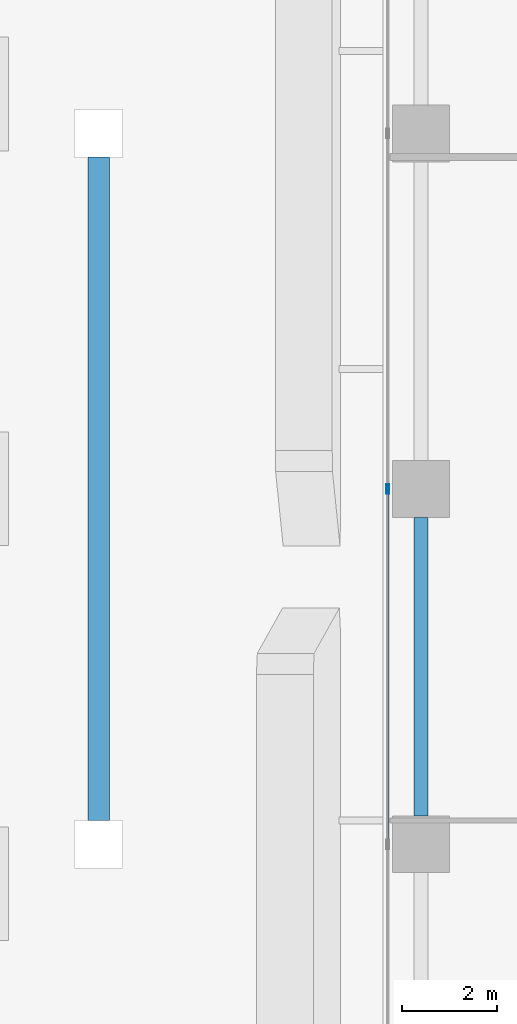
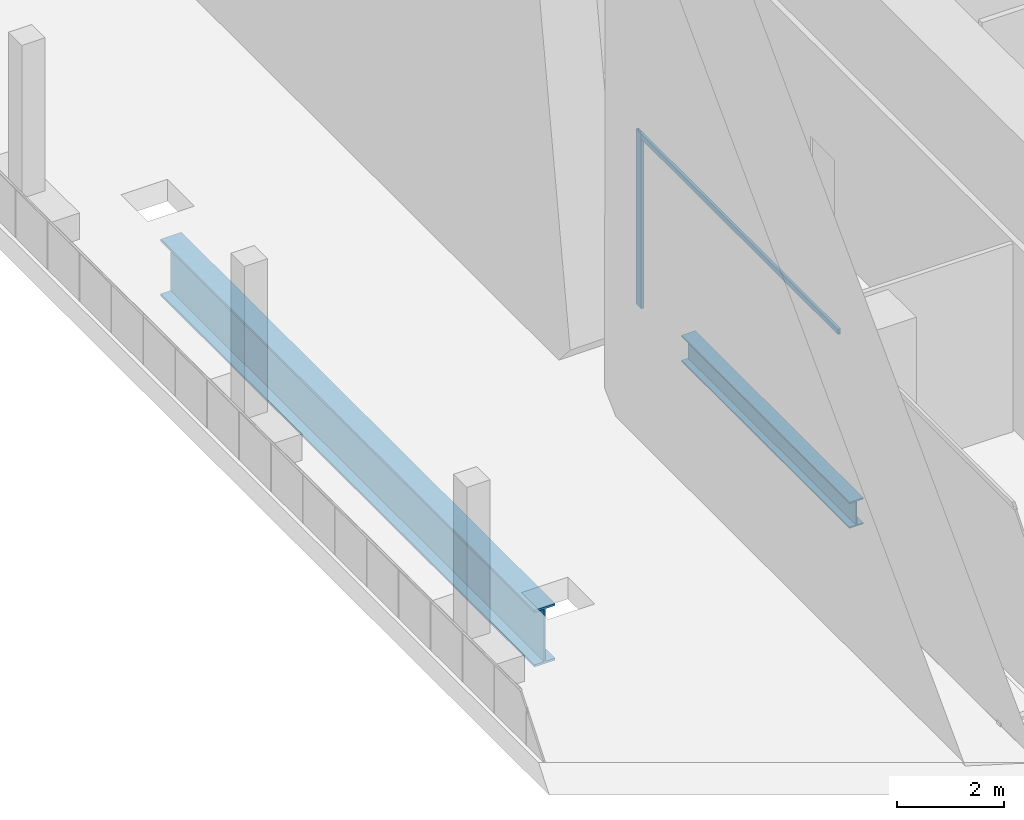
# One storey, part 5 of 46: 2 beams, 2 members, 1 element without a shape of its own.
"""IFC4 building model written with IfcOpenShell, lengths in metres."""

import ifcopenshell
import ifcopenshell.guid

model = None  # the IFC model being written
_history = None  # IfcOwnerHistory: only IFC2X3 demands one
_inside = {}  # id of a spatial element -> (the spatial element, [elements in it])
_under = {}  # id of a project, library or spatial element -> (it, [spatial elements below it])
_declared = {}  # id of a project -> (the project, [libraries it declares])
_typed = {}  # id of a type object -> (the type object, [elements of that type])
_made_of = {}  # id of a material, layer set ... -> (it, [elements and type objects made of it])


def new_model(schema):
    """Start an empty IFC model of exactly this schema.

    Asked for "IFC4X3", IfcOpenShell would pick the latest addendum, in which some entities
    have other attributes; the version numbers below select the first issue.
    IFC2X3 requires an IfcOwnerHistory on every rooted entity: one is made here for all.
    """
    global model, _history
    if schema == "IFC4X3":
        model = ifcopenshell.file(schema_version=(4, 3, 0, 0))
    else:
        model = ifcopenshell.file(schema=schema)
    _inside.clear()
    _under.clear()
    _declared.clear()
    _typed.clear()
    _made_of.clear()
    _history = None
    if model.schema == "IFC2X3":
        org = make("IfcOrganization", Name="unknown")
        user = make(
            "IfcPersonAndOrganization",
            ThePerson=make("IfcPerson", FamilyName="unknown"),
            TheOrganization=org,
        )
        app = make(
            "IfcApplication",
            ApplicationDeveloper=org,
            Version="unknown",
            ApplicationFullName="unknown",
            ApplicationIdentifier="unknown",
        )
        _history = make(
            "IfcOwnerHistory",
            OwningUser=user,
            OwningApplication=app,
            ChangeAction="ADDED",
            CreationDate=0,
        )
    return model


def make(cls, **values):
    """One entity of the class cls with the attributes given. An attribute that is None is left unset."""
    return model.create_entity(
        cls, **{name: value for name, value in values.items() if value is not None}
    )


def rooted(cls, **values):
    """An entity with a GlobalId (a new one), such as an element, a storey or a relation."""
    return make(cls, GlobalId=ifcopenshell.guid.new(), OwnerHistory=_history, **values)


def si_unit(unit_type, name, prefix=None):
    """IfcSIUnit, for example si_unit("LENGTHUNIT", "METRE", prefix="MILLI")."""
    return make("IfcSIUnit", UnitType=unit_type, Prefix=prefix, Name=name)


def assignment(units):
    """IfcUnitAssignment: the units of a project."""
    return None if units is None else make("IfcUnitAssignment", Units=units)


def point(xyz):
    """IfcCartesianPoint."""
    return None if xyz is None else make("IfcCartesianPoint", Coordinates=xyz)


def direction(xyz):
    """IfcDirection."""
    return None if xyz is None else make("IfcDirection", DirectionRatios=xyz)


def frame(location, z_axis=None, x_axis=None):
    """IfcAxis2Placement3D, a coordinate frame: its origin and axes. An axis left out is left unset."""
    return make(
        "IfcAxis2Placement3D",
        Location=point(location),
        Axis=direction(z_axis),
        RefDirection=direction(x_axis),
    )


def frame_2d(location, x_axis=None):
    """IfcAxis2Placement2D, a coordinate frame in the plane: its origin and x axis."""
    return make(
        "IfcAxis2Placement2D", Location=point(location), RefDirection=direction(x_axis)
    )


def origin():
    """The frame at (0, 0, 0) with its axes left unset."""
    return frame((0.0, 0.0, 0.0))


def origin_2d():
    """The frame at (0, 0) in the plane with its x axis left unset."""
    return frame_2d((0.0, 0.0))


def place(relative_to, where):
    """IfcLocalPlacement: puts the frame where relative to a parent placement (None: the world)."""
    return make(
        "IfcLocalPlacement", PlacementRelTo=relative_to, RelativePlacement=where
    )


def context(
    kind, dimensions, precision=None, world=None, true_north=None, identifier=None
):
    """IfcGeometricRepresentationContext, for example the 3D "Model" context."""
    return make(
        "IfcGeometricRepresentationContext",
        ContextIdentifier=identifier,
        ContextType=kind,
        CoordinateSpaceDimension=dimensions,
        Precision=precision,
        WorldCoordinateSystem=world,
        TrueNorth=true_north,
    )


def subcontext(parent, identifier, kind, view, scale=None):
    """IfcGeometricRepresentationSubContext, for example "Body" below "Model"."""
    return make(
        "IfcGeometricRepresentationSubContext",
        ContextIdentifier=identifier,
        ContextType=kind,
        ParentContext=parent,
        TargetScale=scale,
        TargetView=view,
    )


def project(units=None, contexts=None):
    """IfcProject with its units and contexts."""
    return rooted(
        "IfcProject",
        Name="project",
        RepresentationContexts=contexts,
        UnitsInContext=assignment(units),
    )


def spatial(cls, under=None, at=None, **own):
    """A site, building, storey or space (cls), placed at a placement, below another one or the project."""
    s = rooted(cls, ObjectPlacement=at, **own)
    if under is not None:
        _under.setdefault(under.id(), (under, []))[1].append(s)
    return s


def profile(cls, at=None, kind="AREA", **sizes):
    """A parametric profile (cls). Its sizes go by their IFC names, for example OverallWidth=200.0."""
    return make(cls, ProfileType=kind, Position=at, **sizes)


def hollow_rectangle(**sizes):
    """IfcRectangleHollowProfileDef."""
    return profile("IfcRectangleHollowProfileDef", **sizes)


def i_section(**sizes):
    """IfcIShapeProfileDef."""
    return profile("IfcIShapeProfileDef", **sizes)


def extrude(swept, where, along, depth):
    """IfcExtrudedAreaSolid: the profile swept, set in the frame where, extruded along a direction by depth."""
    return make(
        "IfcExtrudedAreaSolid",
        SweptArea=swept,
        Position=where,
        ExtrudedDirection=direction(along),
        Depth=depth,
    )


def shape(context_of_items, identifier, shape_type, items):
    """IfcShapeRepresentation: the items that make up one representation, for example the "Body"."""
    return make(
        "IfcShapeRepresentation",
        ContextOfItems=context_of_items,
        RepresentationIdentifier=identifier,
        RepresentationType=shape_type,
        Items=items,
    )


def source(mapping_origin, context_of_items, identifier, shape_type, items):
    """IfcRepresentationMap: a shape defined once, which mapped items show again and again."""
    return make(
        "IfcRepresentationMap",
        MappingOrigin=mapping_origin,
        MappedRepresentation=shape(context_of_items, identifier, shape_type, items),
    )


def transform(
    local_origin,
    x_axis=None,
    y_axis=None,
    z_axis=None,
    scale=None,
    scale2=None,
    scale3=None,
    uniform=True,
):
    """IfcCartesianTransformationOperator3D, or its non-uniform kind. x_axis, y_axis, z_axis: its Axis1, 2, 3."""
    if uniform:
        return make(
            "IfcCartesianTransformationOperator3D",
            Axis1=direction(x_axis),
            Axis2=direction(y_axis),
            LocalOrigin=point(local_origin),
            Scale=scale,
            Axis3=direction(z_axis),
        )
    return make(
        "IfcCartesianTransformationOperator3DnonUniform",
        Axis1=direction(x_axis),
        Axis2=direction(y_axis),
        LocalOrigin=point(local_origin),
        Scale=scale,
        Axis3=direction(z_axis),
        Scale2=scale2,
        Scale3=scale3,
    )


def mapped(mapping_source, mapping_target):
    """IfcMappedItem: shows the shape of a source again, moved by a transform."""
    return make(
        "IfcMappedItem", MappingSource=mapping_source, MappingTarget=mapping_target
    )


def material(Name=None, Category=None):
    """IfcMaterial."""
    return make("IfcMaterial", Name=Name, Category=Category)


def material_profile(
    of_material, cross_section, Name=None, Category=None, Priority=None
):
    """IfcMaterialProfile: a cross section and its material."""
    return make(
        "IfcMaterialProfile",
        Name=Name,
        Material=of_material,
        Profile=cross_section,
        Priority=Priority,
        Category=Category,
    )


def profile_set(profiles, Name=None, composite=None):
    """IfcMaterialProfileSet."""
    return make(
        "IfcMaterialProfileSet",
        Name=Name,
        MaterialProfiles=profiles,
        CompositeProfile=composite,
    )


def made_of(thing, what):
    """Note that an element or type object is made of a material, layer set ...; save() writes the relation."""
    if what is not None:
        _made_of.setdefault(what.id(), (what, []))[1].append(thing)
    return thing


def type_object(cls, material=None, **own):
    """A type object (cls), such as IfcWallType, which elements share."""
    return made_of(rooted(cls, **own), material)


def element(
    cls,
    number,
    at=None,
    inside=None,
    cuts=None,
    type_object=None,
    material=None,
    context=None,
    identifier="Body",
    shape_type=None,
    held_by="IfcProductDefinitionShape",
    body=None,
    shapes=None,
    **own,
):
    """One element of the class cls, such as IfcWall. Its Tag is "e" and its number.

    at: its placement. inside: the storey or other place that contains it. cuts: it is an
    opening in that element (IfcRelVoidsElement). A single representation is given by context,
    identifier, shape_type and body (its items); several are given by shapes. held_by: the class
    of the entity that holds the representations. save() writes the other relations.
    """
    e = rooted(cls, Tag="e%d" % number, ObjectPlacement=at, **own)
    if body is not None:
        shapes = [shape(context, identifier, shape_type, body)]
    if shapes is not None:
        e.Representation = make(held_by, Representations=shapes)
    if inside is not None:
        _inside.setdefault(inside.id(), (inside, []))[1].append(e)
    if cuts is not None:
        rooted(
            "IfcRelVoidsElement", RelatingBuildingElement=cuts, RelatedOpeningElement=e
        )
    if type_object is not None:
        _typed.setdefault(type_object.id(), (type_object, []))[1].append(e)
    return made_of(e, material)


def aggregate(whole, parts):
    """IfcRelAggregates: a whole, such as a stair, and the parts it consists of."""
    return rooted("IfcRelAggregates", RelatingObject=whole, RelatedObjects=parts)


def save(model, path):
    """Write the relations noted so far, then the file.

    IfcRelAggregates (storeys below a building ...), IfcRelContainedInSpatialStructure (elements
    in a storey), IfcRelDefinesByType, IfcRelAssociatesMaterial and IfcRelDeclares: one each for
    every whole, place, type object, material and project.
    """
    for whole, parts in _under.values():
        aggregate(whole, parts)
    for where, things in _inside.values():
        rooted(
            "IfcRelContainedInSpatialStructure",
            RelatedElements=things,
            RelatingStructure=where,
        )
    for kind, things in _typed.values():
        rooted("IfcRelDefinesByType", RelatedObjects=things, RelatingType=kind)
    for what, things in _made_of.values():
        rooted("IfcRelAssociatesMaterial", RelatedObjects=things, RelatingMaterial=what)
    for by, libraries in _declared.values():
        rooted("IfcRelDeclares", RelatingContext=by, RelatedDefinitions=libraries)
    model.write(path)


model = new_model("IFC4")

# Units and contexts
model_context = context("Model", 3, precision=1e-05, world=origin(), true_north=direction((0.0, 1.0)))
body_context = subcontext(model_context, "Body", "Model", "MODEL_VIEW")
ifc_project = project(units=[si_unit("LENGTHUNIT", "METRE"), si_unit("AREAUNIT", "SQUARE_METRE"), si_unit("VOLUMEUNIT", "CUBIC_METRE"), si_unit("PLANEANGLEUNIT", "RADIAN"), si_unit("MASSUNIT", "GRAM", prefix="KILO")], contexts=[model_context])

# Site, building, storey
site_placement = place(None, origin())
site = spatial("IfcSite", under=ifc_project, at=site_placement, CompositionType="ELEMENT")
building_placement = place(site_placement, origin())
building = spatial("IfcBuilding", under=site, at=building_placement, Name="Khomas Fold Tower", CompositionType="ELEMENT")
storey_placement = place(building_placement, frame((0.0, 0.0, 33.0)))
storey = spatial("IfcBuildingStorey", under=building, at=storey_placement, Name="L06", CompositionType="ELEMENT", Elevation=33.0)

# Beams
ifc_material_1 = material(Name="Steel S460M", Category="steel")
ifc_material_profile_1 = material_profile(ifc_material_1, i_section(OverallWidth=0.449951171875, OverallDepth=1.300048828125, WebThickness=0.02490234375, FlangeThickness=0.050048828125, at=origin_2d()), Name="PG 1300x450")
ifc_profile_set_1 = profile_set([ifc_material_profile_1], Name="Steel S460M")
beam_type_1 = type_object("IfcBeamType", Name="PG 1300x450 beam TG2", PredefinedType="BEAM", material=ifc_profile_set_1)
shared_shape_1 = source(origin(), body_context, "Body", "SweptSolid", [
    extrude(i_section(OverallWidth=0.449951171875, OverallDepth=1.300048828125, WebThickness=0.02490234375, FlangeThickness=0.050048828125, at=origin_2d()), origin(), (0.0, 0.0, 1.0), 14.0),
])
beam_1_placement = place(storey_placement, frame((-6.0, 20.0, -1.14990234375), z_axis=(0.0, 1.0, 0.0), x_axis=(-1.0, 0.0, 0.0)))
element("IfcBeam", 1, at=beam_1_placement, inside=storey, type_object=beam_type_1, Name="TG2", PredefinedType="BEAM", context=body_context, shape_type="MappedRepresentation", body=[
    mapped(shared_shape_1, transform((0.0, 0.0, 0.0))),
])
ifc_material_2 = material(Name="Steel S355", Category="steel")
ifc_material_profile_2 = material_profile(ifc_material_2, i_section(OverallWidth=0.300048828125, OverallDepth=0.60009765625, WebThickness=0.015380859375, FlangeThickness=0.030029296875, at=origin_2d()), Name="HE 600 B")
ifc_profile_set_2 = profile_set([ifc_material_profile_2], Name="Steel S355")
beam_type_2 = type_object("IfcBeamType", Name="HE 600 B spandrel SB1", PredefinedType="SPANDREL", material=ifc_profile_set_2)
shared_shape_2 = source(origin(), body_context, "Body", "SweptSolid", [
    extrude(i_section(OverallWidth=0.300048828125, OverallDepth=0.60009765625, WebThickness=0.015380859375, FlangeThickness=0.030029296875, at=origin_2d()), origin(), (0.0, 0.0, 1.0), 6.2998046875),
])
beam_2_placement = place(storey_placement, frame((0.800048828125, 20.10009765625, -0.800048828125), z_axis=(0.0, 1.0, 0.0), x_axis=(-1.0, 0.0, 0.0)))
element("IfcBeam", 2, at=beam_2_placement, inside=storey, type_object=beam_type_2, Name="SB1", PredefinedType="SPANDREL", context=body_context, shape_type="MappedRepresentation", body=[
    mapped(shared_shape_2, transform((0.0, 0.0, 0.0))),
])

# Curtain wall, members
ifc_material_3 = material(Name="Aluminium framed double glazing", Category="aluminium")
curtain_wall_type = type_object("IfcCurtainWallType", Name="SK-Unitised clear-glass wall, growing floors CW1", PredefinedType="NOTDEFINED", material=ifc_material_3)
curtain_wall_placement = place(storey_placement, origin())
curtain_wall = element("IfcCurtainWall", 3, at=curtain_wall_placement, inside=storey, type_object=curtain_wall_type, Name="CW1 run L06 09-0", PredefinedType="NOTDEFINED")
ifc_material_4 = material(Name="Aluminium", Category="aluminium")
ifc_material_profile_3 = material_profile(ifc_material_4, hollow_rectangle(XDim=0.06005859375, YDim=0.199951171875, WallThickness=0.00390625, at=origin_2d()), Name="SK-Unitised clear-glass wall, growing floors mullion CW1-M")
ifc_profile_set_3 = profile_set([ifc_material_profile_3], Name="Aluminium")
member_type_1 = type_object("IfcMemberType", Name="SK-Unitised clear-glass wall, growing floors mullion CW1-M", PredefinedType="MULLION", material=ifc_profile_set_3)
shared_shape_3 = source(origin(), body_context, "Body", "SweptSolid", [
    extrude(hollow_rectangle(XDim=0.06005859375, YDim=0.199951171875, WallThickness=0.00390625, at=origin_2d()), origin(), (0.0, 0.0, 1.0), 4.0),
])
member_1_placement = place(storey_placement, frame((0.10009765625, 27.0, 0.0), z_axis=(0.0, 0.0, 1.0), x_axis=(1.0, 0.0, 0.0)))
member_1 = element("IfcMember", 4, at=member_1_placement, type_object=member_type_1, Name="CW1 mullion 5", PredefinedType="MULLION", context=body_context, shape_type="MappedRepresentation", body=[
    mapped(shared_shape_3, transform((0.0, 0.0, 0.0))),
])
ifc_material_5 = material(Name="Aluminium", Category="aluminium")
ifc_material_profile_4 = material_profile(ifc_material_5, hollow_rectangle(XDim=0.06005859375, YDim=0.1201171875, WallThickness=0.00390625, at=origin_2d()), Name="SK-Unitised clear-glass wall, growing floors transom CW1-T")
ifc_profile_set_4 = profile_set([ifc_material_profile_4], Name="Aluminium")
member_type_2 = type_object("IfcMemberType", Name="SK-Unitised clear-glass wall, growing floors transom CW1-T", PredefinedType="USERDEFINED", material=ifc_profile_set_4)
shared_shape_4 = source(origin(), body_context, "Body", "SweptSolid", [
    extrude(hollow_rectangle(XDim=0.06005859375, YDim=0.1201171875, WallThickness=0.00390625, at=origin_2d()), origin(), (0.0, 0.0, 1.0), 7.43994140625),
])
member_2_placement = place(storey_placement, frame((0.10009765625, 26.969970703125, 3.93994140625), z_axis=(0.0, -1.0, 0.0), x_axis=(1.0, 0.0, 0.0)))
member_2 = element("IfcMember", 5, at=member_2_placement, type_object=member_type_2, Name="CW1 transom 5", ObjectType="TRANSOM", PredefinedType="USERDEFINED", context=body_context, shape_type="MappedRepresentation", body=[
    mapped(shared_shape_4, transform((0.0, 0.0, 0.0))),
])
aggregate(curtain_wall, [member_1, member_2])

save(model, "model.ifc")
